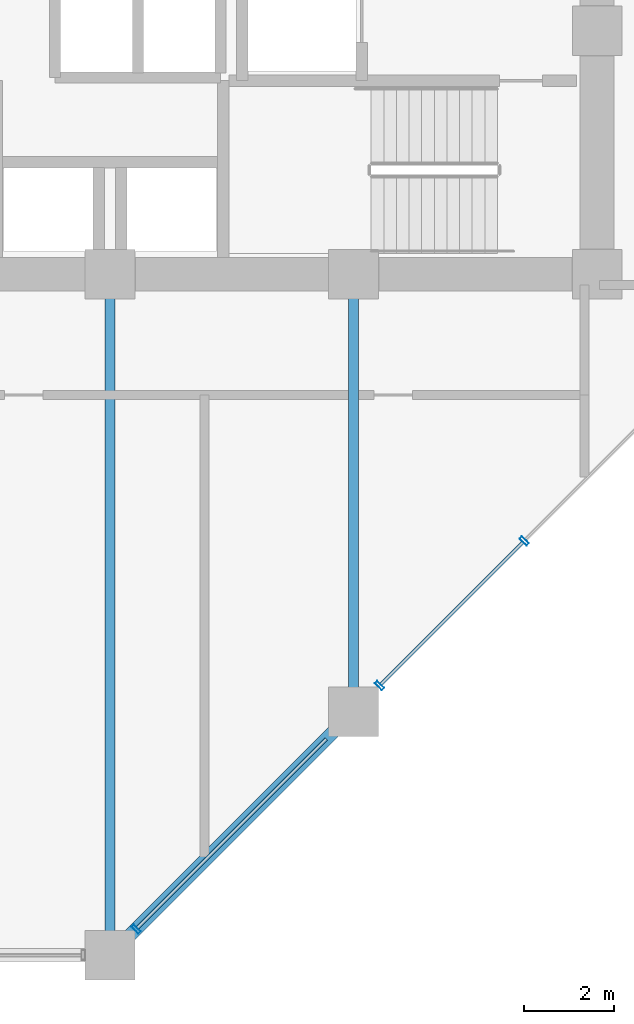
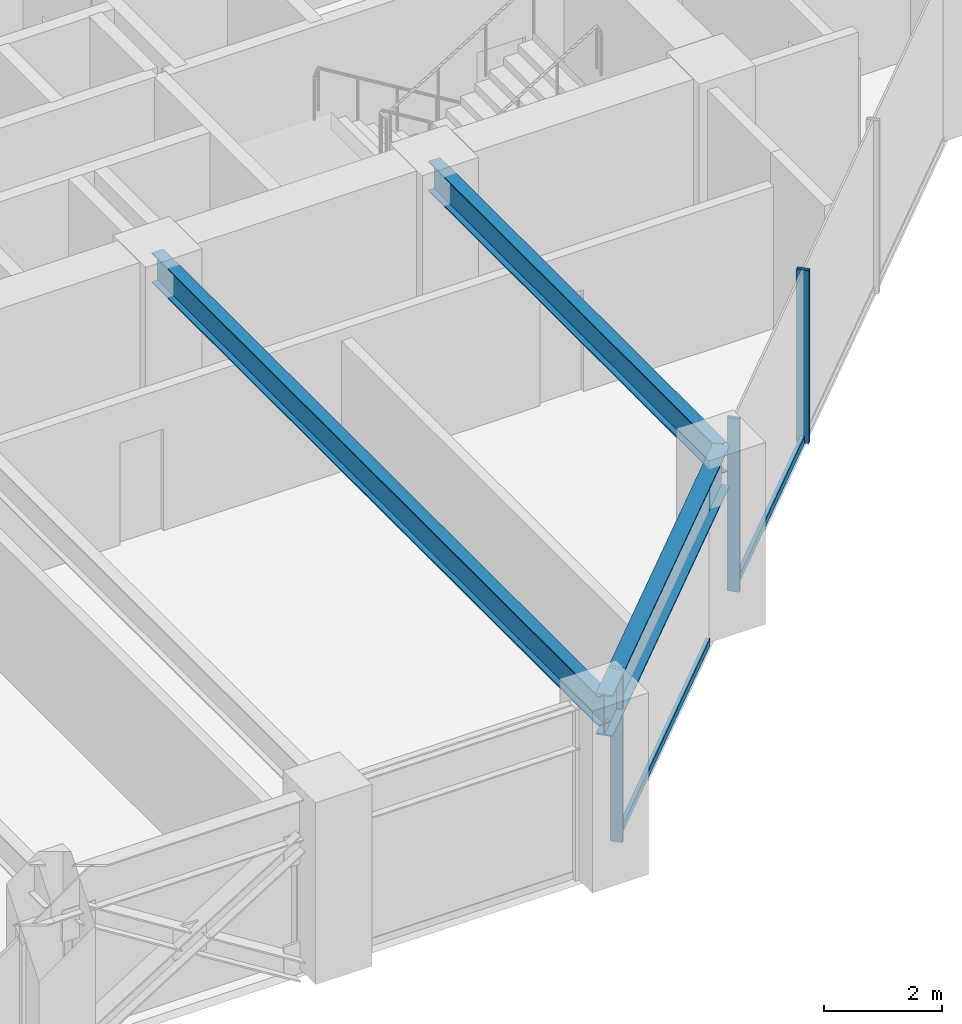
# One storey, part 7 of 25: 5 members, 3 beams, 1 element without a shape of its own.
"""IFC4 building model written with IfcOpenShell, lengths in metres."""

from ifc_helpers import new_model, si_unit, direction, frame, origin, origin_2d, place, context, subcontext, project, spatial, hollow_rectangle, i_section, extrude, material, layer, layer_set, material_profile, profile_set, type_object, element, aggregate, save


model = new_model("IFC4")

# Units and contexts
model_context = context("Model", 3, precision=1e-05, world=origin(), true_north=direction((0.0, 1.0)))
body_context = subcontext(model_context, "Body", "Model", "MODEL_VIEW")
ifc_project = project(units=[si_unit("LENGTHUNIT", "METRE"), si_unit("AREAUNIT", "SQUARE_METRE"), si_unit("VOLUMEUNIT", "CUBIC_METRE"), si_unit("PLANEANGLEUNIT", "RADIAN"), si_unit("MASSUNIT", "GRAM", prefix="KILO")], contexts=[model_context])

# Site, building, storey
site_placement = place(None, origin())
site = spatial("IfcSite", under=ifc_project, at=site_placement, CompositionType="ELEMENT")
building_placement = place(site_placement, origin())
building = spatial("IfcBuilding", under=site, at=building_placement, Name="Surkhivell Harbour Commons", CompositionType="ELEMENT")
storey_placement = place(building_placement, frame((0.0, 0.0, 120.75)))
storey = spatial("IfcBuildingStorey", under=building, at=storey_placement, Name="L31", CompositionType="ELEMENT", Elevation=120.75)

# Beams
ifc_material_1 = material(Name="Steel S355", Category="steel")
ifc_material_profile_1 = material_profile(ifc_material_1, i_section(OverallWidth=0.22998046875, OverallDepth=0.616943359375, WebThickness=0.01318359375, FlangeThickness=0.022216796875, at=origin_2d()), Name="UB610x229x140")
ifc_profile_set_1 = profile_set([ifc_material_profile_1], Name="Steel S355")
beam_type_1 = type_object("IfcBeamType", Name="BM-GRD-610B", PredefinedType="BEAM", material=ifc_profile_set_1)
beam_1_placement = place(storey_placement, frame((0.0, -25.89990234375, 3.261474609375), z_axis=(0.0, 1.0, 0.0), x_axis=(-1.0, 0.0, 0.0)))
element("IfcBeam", 1, at=beam_1_placement, inside=storey, type_object=beam_type_1, Name="L31 Floor Girder (0.0,-25.9)", PredefinedType="BEAM", context=body_context, shape_type="SweptSolid", body=[
    extrude(i_section(OverallWidth=0.22998046875, OverallDepth=0.616943359375, WebThickness=0.01318359375, FlangeThickness=0.022216796875, at=origin_2d()), origin(), (0.0, 0.0, 1.0), 15.099853515625),
])
beam_2_placement = place(storey_placement, frame((5.39990234375, -20.5, 3.261474609375), z_axis=(0.0, 1.0, 0.0), x_axis=(-1.0, 0.0, 0.0)))
element("IfcBeam", 2, at=beam_2_placement, inside=storey, type_object=beam_type_1, Name="L31 Floor Girder (5.4,-20.5)", PredefinedType="BEAM", context=body_context, shape_type="SweptSolid", body=[
    extrude(i_section(OverallWidth=0.22998046875, OverallDepth=0.616943359375, WebThickness=0.01318359375, FlangeThickness=0.022216796875, at=origin_2d()), origin(), (0.0, 0.0, 1.0), 9.699951171875),
])
ifc_material_2 = material(Name="Steel S460", Category="steel")
ifc_material_profile_2 = material_profile(ifc_material_2, i_section(OverallWidth=0.2939453125, OverallDepth=0.85107421875, WebThickness=0.01611328125, FlangeThickness=0.02685546875, at=origin_2d()), Name="UB838x292x226")
ifc_profile_set_2 = profile_set([ifc_material_profile_2], Name="Steel S460")
beam_type_2 = type_object("IfcBeamType", Name="BM-SPN-838", PredefinedType="SPANDREL", material=ifc_profile_set_2)
beam_3_placement = place(storey_placement, frame((0.0, -25.89990234375, 3.14453125), z_axis=(0.707106781187, 0.707106781187, 0.0), x_axis=(-0.707106781187, 0.707106781187, 0.0)))
element("IfcBeam", 3, at=beam_3_placement, inside=storey, type_object=beam_type_2, Name="L31 Tube Spandrel (-0.0,-25.9)", PredefinedType="SPANDREL", context=body_context, shape_type="SweptSolid", body=[
    extrude(i_section(OverallWidth=0.2939453125, OverallDepth=0.85107421875, WebThickness=0.01611328125, FlangeThickness=0.02685546875, at=origin_2d()), origin(), (0.0, 0.0, 1.0), 7.63671875),
])

# Curtain wall, members
ifc_material_3 = material(Name="Anodised pale-metal aluminium and insulated glazing", Category="aluminium")
ifc_layer = layer(ifc_material_3, 0.205078125)
ifc_layer_set = layer_set([ifc_layer], Name="Anodised pale-metal aluminium and insulated glazing")
curtain_wall_type = type_object("IfcCurtainWallType", Name="CW-SYS-Z2", PredefinedType="NOTDEFINED", material=ifc_layer_set)
curtain_wall_placement = place(storey_placement, origin())
curtain_wall = element("IfcCurtainWall", 4, at=curtain_wall_placement, inside=storey, type_object=curtain_wall_type, Name="L31 Curtain Wall CW-L31-E01", PredefinedType="NOTDEFINED")
ifc_material_4 = material(Name="Anodised pale-metal aluminium alloy 6063-T6", Category="aluminium")
ifc_material_profile_3 = material_profile(ifc_material_4, hollow_rectangle(XDim=0.074951171875, YDim=0.219970703125, WallThickness=0.00390625, at=origin_2d()), Name="ALU-MULL-75x220")
ifc_profile_set_3 = profile_set([ifc_material_profile_3], Name="Anodised pale-metal aluminium alloy 6063-T6")
member_type_1 = type_object("IfcMemberType", Name="CWM-220", PredefinedType="MULLION", material=ifc_profile_set_3)
member_1_placement = place(storey_placement, frame((0.578125, -25.32177734375, 0.0), z_axis=(0.0, 0.0, 1.0), x_axis=(0.707106781187, 0.707106781187, 0.0)))
member_1 = element("IfcMember", 5, at=member_1_placement, type_object=member_type_1, Name="CW-Z2 mullion 1", PredefinedType="MULLION", context=body_context, shape_type="SweptSolid", body=[
    extrude(hollow_rectangle(XDim=0.074951171875, YDim=0.219970703125, WallThickness=0.00390625, at=origin_2d()), origin(), (0.0, 0.0, 1.0), 3.570068359375),
])
member_2_placement = place(storey_placement, frame((5.978271484375, -19.921875, 0.0), z_axis=(0.0, 0.0, 1.0), x_axis=(0.707106781187, 0.707106781187, 0.0)))
member_2 = element("IfcMember", 6, at=member_2_placement, type_object=member_type_1, Name="CW-Z2 mullion 2", PredefinedType="MULLION", context=body_context, shape_type="SweptSolid", body=[
    extrude(hollow_rectangle(XDim=0.074951171875, YDim=0.219970703125, WallThickness=0.00390625, at=origin_2d()), origin(), (0.0, 0.0, 1.0), 3.570068359375),
])
member_3_placement = place(storey_placement, frame((9.183837890625, -16.716064453125, 0.0), z_axis=(0.0, 0.0, 1.0), x_axis=(0.707106781187, 0.707106781187, 0.0)))
member_3 = element("IfcMember", 7, at=member_3_placement, type_object=member_type_1, Name="CW-Z2 mullion 3", PredefinedType="MULLION", context=body_context, shape_type="SweptSolid", body=[
    extrude(hollow_rectangle(XDim=0.074951171875, YDim=0.219970703125, WallThickness=0.00390625, at=origin_2d()), origin(), (0.0, 0.0, 1.0), 3.570068359375),
])
ifc_material_profile_4 = material_profile(ifc_material_4, hollow_rectangle(XDim=0.074951171875, YDim=0.14990234375, WallThickness=0.00341796875, at=origin_2d()), Name="ALU-TRAN-75x150")
ifc_profile_set_4 = profile_set([ifc_material_profile_4], Name="Anodised pale-metal aluminium alloy 6063-T6")
member_type_2 = type_object("IfcMemberType", Name="CWT-150", PredefinedType="USERDEFINED", material=ifc_profile_set_4)
member_4_placement = place(storey_placement, frame((0.604736328125, -25.295166015625, 0.074951171875), z_axis=(0.707106781187, 0.707106781187, 0.0), x_axis=(-0.707106781187, 0.707106781187, 0.0)))
member_4 = element("IfcMember", 8, at=member_4_placement, type_object=member_type_2, Name="CW-Z2 transom 1.1", ObjectType="TRANSOM", PredefinedType="USERDEFINED", context=body_context, shape_type="SweptSolid", body=[
    extrude(hollow_rectangle(XDim=0.074951171875, YDim=0.14990234375, WallThickness=0.00341796875, at=origin_2d()), origin(), (0.0, 0.0, 1.0), 5.92626953125),
])
member_5_placement = place(storey_placement, frame((6.004638671875, -19.895263671875, 0.074951171875), z_axis=(0.707134159244, 0.707079402069, 0.0), x_axis=(-0.707079402069, 0.707134159244, 0.0)))
member_5 = element("IfcMember", 9, at=member_5_placement, type_object=member_type_2, Name="CW-Z2 transom 2.1", ObjectType="TRANSOM", PredefinedType="USERDEFINED", context=body_context, shape_type="SweptSolid", body=[
    extrude(hollow_rectangle(XDim=0.074951171875, YDim=0.14990234375, WallThickness=0.00341796875, at=origin_2d()), origin(), (0.0, 0.0, 1.0), 4.45849609375),
])
aggregate(curtain_wall, [member_1, member_4, member_2, member_3, member_5])

save(model, "model.ifc")
